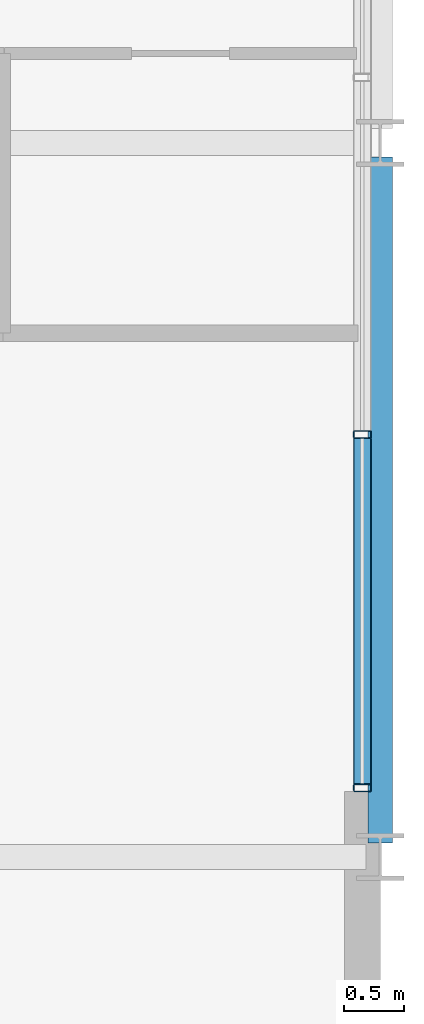
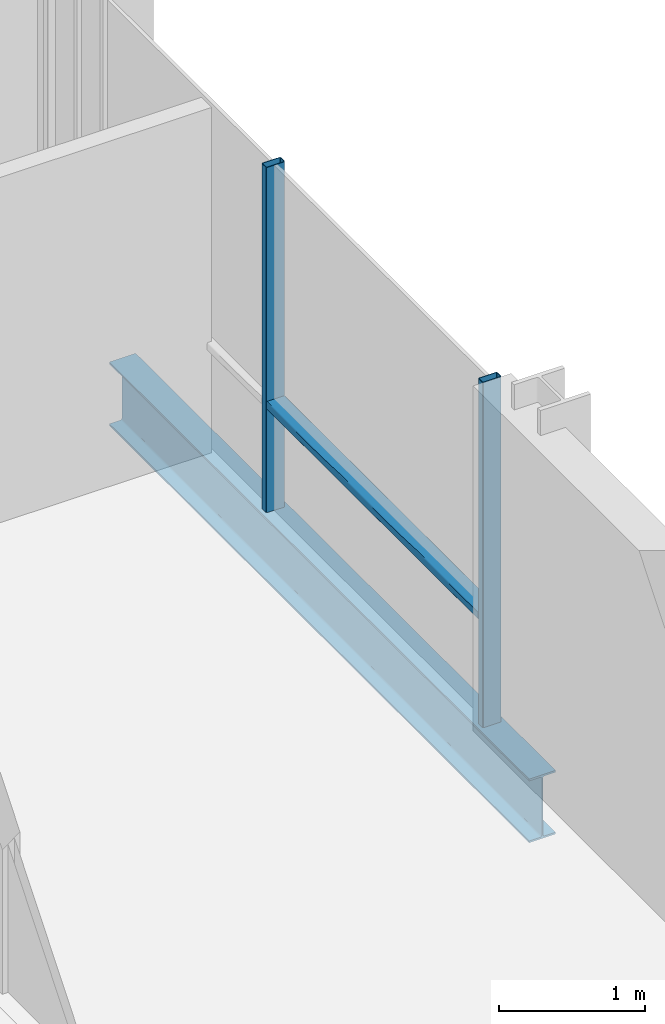
# One storey, part 13 of 33: 3 members, 1 beam, 1 element without a shape of its own.
"""IFC4 building model written with IfcOpenShell, lengths in metres."""

from ifc_helpers import new_model, si_unit, direction, frame, origin, origin_2d, place, context, subcontext, project, spatial, hollow_rectangle, i_section, extrude, material, layer, layer_set, material_profile, profile_set, type_object, element, aggregate, save


model = new_model("IFC4")

# Units and contexts
model_context = context("Model", 3, precision=1e-05, world=origin(), true_north=direction((0.0, 1.0)))
body_context = subcontext(model_context, "Body", "Model", "MODEL_VIEW")
ifc_project = project(units=[si_unit("LENGTHUNIT", "METRE"), si_unit("AREAUNIT", "SQUARE_METRE"), si_unit("VOLUMEUNIT", "CUBIC_METRE"), si_unit("PLANEANGLEUNIT", "RADIAN"), si_unit("MASSUNIT", "GRAM", prefix="KILO")], contexts=[model_context])

# Site, building, storey
site_placement = place(None, origin())
site = spatial("IfcSite", under=ifc_project, at=site_placement, CompositionType="ELEMENT")
building_placement = place(site_placement, origin())
building = spatial("IfcBuilding", under=site, at=building_placement, Name="Brevholm Reach", CompositionType="ELEMENT")
storey_placement = place(building_placement, frame((0.0, 0.0, 189.39990234375)))
storey = spatial("IfcBuildingStorey", under=building, at=storey_placement, Name="L57", CompositionType="ELEMENT", Elevation=189.39990234375)

# Beam
ifc_material_1 = material(Name="Structural Steel S355J2", Category="steel")
ifc_material_profile_1 = material_profile(ifc_material_1, i_section(OverallWidth=0.209228515625, OverallDepth=0.533203125, WebThickness=0.010009765625, FlangeThickness=0.015625, FilletRadius=0.0126953125, at=origin_2d()), Name="UKB 533x210x92")
ifc_profile_set_1 = profile_set([ifc_material_profile_1], Name="Structural Steel S355J2")
beam_type = type_object("IfcBeamType", Name="BM-SP533", PredefinedType="SPANDREL", material=ifc_profile_set_1)
beam_placement = place(storey_placement, frame((60.0, 10.1201171875, -0.4765625), z_axis=(0.0, 1.0, 0.0), x_axis=(-1.0, 0.0, 0.0)))
element("IfcBeam", 1, at=beam_placement, inside=storey, type_object=beam_type, Name="L57 SP-02 Framing Beam", PredefinedType="SPANDREL", context=body_context, shape_type="SweptSolid", body=[
    extrude(i_section(OverallWidth=0.209228515625, OverallDepth=0.533203125, WebThickness=0.010009765625, FlangeThickness=0.015625, FilletRadius=0.0126953125, at=origin_2d()), origin(), (0.0, 0.0, 1.0), 5.759765625),
])

# Curtain wall, members
ifc_material_2 = material(Name="Dark Anodised Aluminium 6063-T6 and Solar-Control Glass", Category="aluminium")
ifc_layer = layer(ifc_material_2, 0.14990234375)
ifc_layer_set = layer_set([ifc_layer], Name="Dark Anodised Aluminium 6063-T6 and Solar-Control Glass")
curtain_wall_type = type_object("IfcCurtainWallType", Name="CW-01", PredefinedType="NOTDEFINED", material=ifc_layer_set)
curtain_wall_placement = place(storey_placement, origin())
curtain_wall = element("IfcCurtainWall", 2, at=curtain_wall_placement, inside=storey, type_object=curtain_wall_type, Name="L57 Curtain Wall CW-01", PredefinedType="NOTDEFINED")
ifc_material_3 = material(Name="Dark Anodised Aluminium 6063-T6", Category="aluminium")
ifc_material_profile_2 = material_profile(ifc_material_3, hollow_rectangle(XDim=0.06494140625, YDim=0.14990234375, WallThickness=0.0048828125, InnerFilletRadius=0.0048828125, OuterFilletRadius=0.010009765625, at=origin_2d()), Name="RHS 150x65x5")
ifc_profile_set_2 = profile_set([ifc_material_profile_2], Name="Dark Anodised Aluminium 6063-T6")
member_type_1 = type_object("IfcMemberType", Name="CWM-150", PredefinedType="MULLION", material=ifc_profile_set_2)
member_1_placement = place(storey_placement, frame((59.85009765625, 10.58251953125, 0.0), z_axis=(0.0, 0.0, 1.0), x_axis=(0.0, 1.0, 0.0)))
member_1 = element("IfcMember", 3, at=member_1_placement, type_object=member_type_1, Name="CM-150 Mullion 1", PredefinedType="MULLION", context=body_context, shape_type="SweptSolid", body=[
    extrude(hollow_rectangle(XDim=0.06494140625, YDim=0.14990234375, WallThickness=0.0048828125, InnerFilletRadius=0.0048828125, OuterFilletRadius=0.010009765625, at=origin_2d()), origin(), (0.0, 0.0, 1.0), 2.89013671875),
])
member_2_placement = place(storey_placement, frame((59.85009765625, 13.550048828125, 0.0), z_axis=(0.0, 0.0, 1.0), x_axis=(0.0, 1.0, 0.0)))
member_2 = element("IfcMember", 4, at=member_2_placement, type_object=member_type_1, Name="CM-150 Mullion 2", PredefinedType="MULLION", context=body_context, shape_type="SweptSolid", body=[
    extrude(hollow_rectangle(XDim=0.06494140625, YDim=0.14990234375, WallThickness=0.0048828125, InnerFilletRadius=0.0048828125, OuterFilletRadius=0.010009765625, at=origin_2d()), origin(), (0.0, 0.0, 1.0), 2.89013671875),
])
ifc_material_4 = material(Name="Dark Anodised Aluminium 6063-T6", Category="aluminium")
ifc_material_profile_3 = material_profile(ifc_material_4, hollow_rectangle(XDim=0.06494140625, YDim=0.14990234375, WallThickness=0.0048828125, InnerFilletRadius=0.0048828125, OuterFilletRadius=0.010009765625, at=origin_2d()), Name="RHS 150x65x5")
ifc_profile_set_3 = profile_set([ifc_material_profile_3], Name="Dark Anodised Aluminium 6063-T6")
member_type_2 = type_object("IfcMemberType", Name="CWT-150", PredefinedType="NOTDEFINED", material=ifc_profile_set_3)
member_3_placement = place(storey_placement, frame((59.85009765625, 10.614990234375, 0.900146484375), z_axis=(0.0, 1.0, 0.0), x_axis=(0.0, 0.0, 1.0)))
member_3 = element("IfcMember", 5, at=member_3_placement, type_object=member_type_2, Name="CT-150 Transom 1.1", ObjectType="TRANSOM", PredefinedType="USERDEFINED", context=body_context, shape_type="SweptSolid", body=[
    extrude(hollow_rectangle(XDim=0.06494140625, YDim=0.14990234375, WallThickness=0.0048828125, InnerFilletRadius=0.0048828125, OuterFilletRadius=0.010009765625, at=origin_2d()), origin(), (0.0, 0.0, 1.0), 2.902587890625),
])
aggregate(curtain_wall, [member_1, member_2, member_3])

save(model, "model.ifc")
